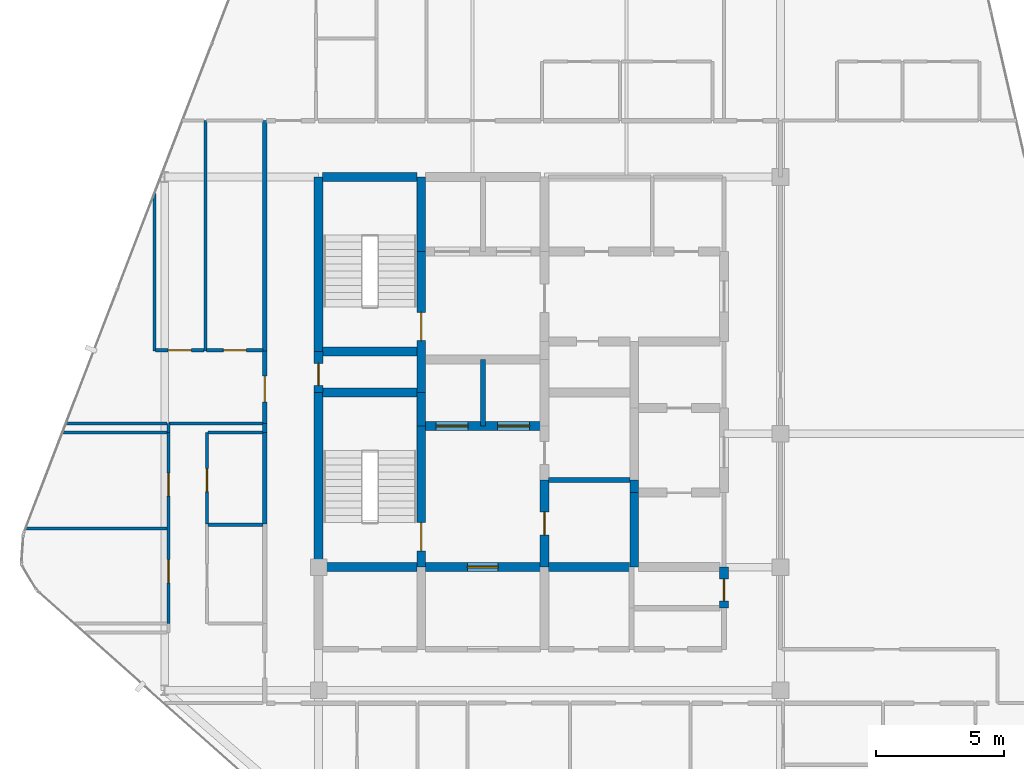
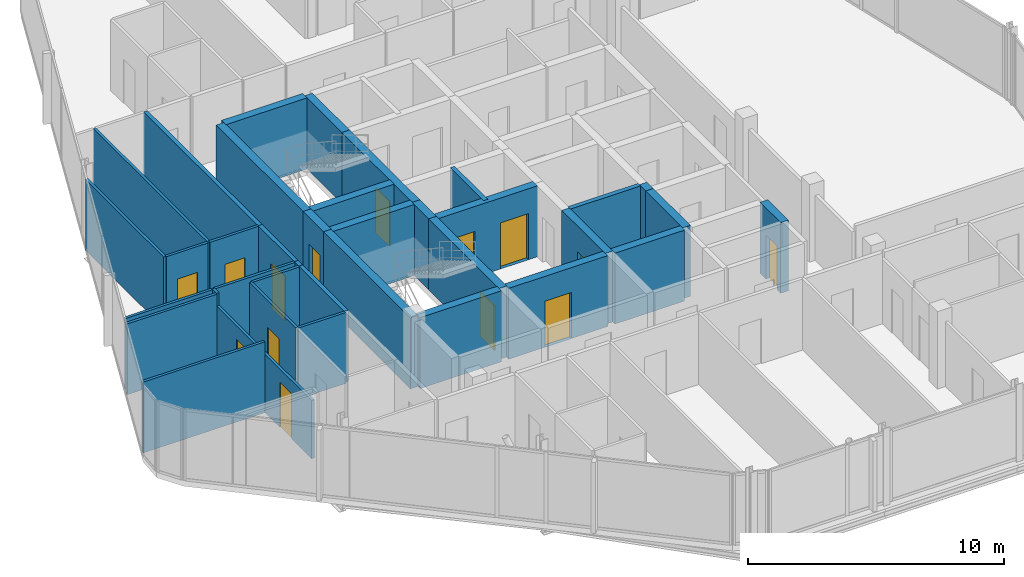
# One storey, part 23 of 27: 37 walls, 14 doors, 14 openings.
"""IFC4 building model written with IfcOpenShell, lengths in metres."""

from ifc_helpers import new_model, si_unit, direction, frame, frame_2d, origin, place, context, subcontext, project, spatial, rectangle, extrude, material, layer, layer_set, type_object, element, fill, save


model = new_model("IFC4")

# Units and contexts
model_context = context("Model", 3, precision=1e-05, world=origin(), true_north=direction((0.0, 1.0)))
body_context = subcontext(model_context, "Body", "Model", "MODEL_VIEW")
ifc_project = project(units=[si_unit("LENGTHUNIT", "METRE"), si_unit("AREAUNIT", "SQUARE_METRE"), si_unit("VOLUMEUNIT", "CUBIC_METRE"), si_unit("PLANEANGLEUNIT", "RADIAN"), si_unit("MASSUNIT", "GRAM", prefix="KILO")], contexts=[model_context])

# Site, building, storey
site_placement = place(None, origin())
site = spatial("IfcSite", under=ifc_project, at=site_placement, CompositionType="ELEMENT")
building_placement = place(site_placement, origin())
building = spatial("IfcBuilding", under=site, at=building_placement, Name="Keshet Zoharim Tower", CompositionType="ELEMENT")
storey_placement = place(building_placement, frame((0.0, 0.0, 288.0)))
storey = spatial("IfcBuildingStorey", under=building, at=storey_placement, Name="L72", CompositionType="ELEMENT", Elevation=288.0)

# Wall
ifc_material_1 = material(Name="Concrete C60/75", Category="concrete")
ifc_layer_1 = layer(ifc_material_1, 0.35009765625)
ifc_layer_set_1 = layer_set([ifc_layer_1], Name="Concrete C60/75")
wall_type_1 = type_object("IfcWallType", Name="WL-CORE-350", PredefinedType="SHEAR", material=ifc_layer_set_1)
wall_1_placement = place(storey_placement, frame((15.0, 22.699951171875, 0.0), z_axis=(0.0, 0.0, 1.0), x_axis=(0.0, 1.0, 0.0)))
element("IfcWall", 1, at=wall_1_placement, inside=storey, type_object=wall_type_1, Name="L72 Core Shear Wall 017", PredefinedType="SHEAR", context=body_context, shape_type="SweptSolid", body=[
    extrude(rectangle(XDim=6.800048828125, YDim=0.35009765625, at=frame_2d((3.39990234375, 0.0))), origin(), (0.0, 0.0, 1.0), 3.389892578125),
])

# Wall, opening, door
wall_2_placement = place(storey_placement, frame((15.0, 29.5, 0.0), z_axis=(0.0, 0.0, 1.0), x_axis=(0.0, 1.0, 0.0)))
wall_2 = element("IfcWall", 2, at=wall_2_placement, inside=storey, type_object=wall_type_1, Name="L72 Core Shear Wall 018", PredefinedType="SHEAR", context=body_context, shape_type="SweptSolid", body=[
    extrude(rectangle(XDim=1.60009765625, YDim=0.35009765625, at=frame_2d((0.800048828125, 0.0))), origin(), (0.0, 0.0, 1.0), 3.389892578125),
])
opening_1_placement = place(wall_2_placement, frame((0.287109375, 0.0, 0.0)))
opening_1 = element("IfcOpeningElement", 3, at=opening_1_placement, cuts=wall_2, Name="Opening D-RS85", PredefinedType="OPENING", context=body_context, shape_type="SweptSolid", body=[
    extrude(rectangle(XDim=0.85009765625, YDim=2.10009765625, at=frame_2d((0.425048828125, 1.050048828125))), frame((0.0, 0.18505859375, 0.0), z_axis=(0.0, -1.0, 0.0), x_axis=(1.0, 0.0, 0.0)), (0.0, 0.0, 1.0), 0.3701171875),
])
ifc_material_2 = material(Name="Hardwood Timber", Category="wood")
door_type_1 = type_object("IfcDoorType", Name="DR-RIS-085", OperationType="NOTDEFINED", PredefinedType="DOOR", material=ifc_material_2)
door_1_placement = place(opening_1_placement, origin())
door_1 = element("IfcDoor", 4, at=door_1_placement, inside=storey, type_object=door_type_1, Name="L72 Electrical Riser Access Cupboard Door", OperationType="SINGLE_SWING_RIGHT", OverallHeight=2.10009765625, OverallWidth=0.85009765625, PredefinedType="DOOR", context=body_context, shape_type="SweptSolid", body=[
    extrude(rectangle(XDim=0.85009765625, YDim=2.10009765625, at=frame_2d((0.425048828125, 1.050048828125))), frame((0.0, 0.02490234375, 0.0), z_axis=(0.0, -1.0, 0.0), x_axis=(1.0, 0.0, 0.0)), (0.0, 0.0, 1.0), 0.050048828125),
])
fill(opening_1, door_1)

# Wall
wall_3_placement = place(storey_placement, frame((15.0, 31.10009765625, 0.0), z_axis=(0.0, 0.0, 1.0), x_axis=(0.0, 1.0, 0.0)))
element("IfcWall", 5, at=wall_3_placement, inside=storey, type_object=wall_type_1, Name="L72 Core Shear Wall 019", PredefinedType="SHEAR", context=body_context, shape_type="SweptSolid", body=[
    extrude(rectangle(XDim=6.7998046875, YDim=0.35009765625, at=frame_2d((3.39990234375, 0.0))), origin(), (0.0, 0.0, 1.0), 3.389892578125),
])

# Wall, opening, door
wall_4_placement = place(storey_placement, frame((19.0, 22.699951171875, 0.0), z_axis=(0.0, 0.0, 1.0), x_axis=(0.0, 1.0, 0.0)))
wall_4 = element("IfcWall", 6, at=wall_4_placement, inside=storey, type_object=wall_type_1, Name="L72 Core Shear Wall 027", PredefinedType="SHEAR", context=body_context, shape_type="SweptSolid", body=[
    extrude(rectangle(XDim=5.5, YDim=0.35009765625, at=frame_2d((2.75, 0.0))), origin(), (0.0, 0.0, 1.0), 3.389892578125),
])
opening_2_placement = place(wall_4_placement, frame((0.631103515625, 0.0, 0.0)))
opening_2 = element("IfcOpeningElement", 7, at=opening_2_placement, cuts=wall_4, Name="Opening D-F611", PredefinedType="OPENING", context=body_context, shape_type="SweptSolid", body=[
    extrude(rectangle(XDim=1.10009765625, YDim=2.14990234375, at=frame_2d((0.550048828125, 1.074951171875))), frame((0.0, 0.18505859375, 0.0), z_axis=(0.0, -1.0, 0.0), x_axis=(1.0, 0.0, 0.0)), (0.0, 0.0, 1.0), 0.3701171875),
])
door_type_2 = type_object("IfcDoorType", Name="DR-FD60-110", OperationType="NOTDEFINED", PredefinedType="DOOR", material=ifc_material_2)
door_2_placement = place(opening_2_placement, origin())
door_2 = element("IfcDoor", 8, at=door_2_placement, inside=storey, type_object=door_type_2, Name="L72 Exit Stair ST-01 Fire Door", OperationType="SINGLE_SWING_LEFT", OverallHeight=2.14990234375, OverallWidth=1.10009765625, PredefinedType="DOOR", context=body_context, shape_type="SweptSolid", body=[
    extrude(rectangle(XDim=1.10009765625, YDim=2.14990234375, at=frame_2d((0.550048828125, 1.074951171875))), frame((0.0, 0.02490234375, 0.0), z_axis=(0.0, -1.0, 0.0), x_axis=(1.0, 0.0, 0.0)), (0.0, 0.0, 1.0), 0.050048828125),
])
fill(opening_2, door_2)

# Wall
wall_5_placement = place(storey_placement, frame((19.0, 28.199951171875, 0.0), z_axis=(0.0, 0.0, 1.0), x_axis=(0.0, 1.0, 0.0)))
element("IfcWall", 9, at=wall_5_placement, inside=storey, type_object=wall_type_1, Name="L72 Core Shear Wall 028", PredefinedType="SHEAR", context=body_context, shape_type="SweptSolid", body=[
    extrude(rectangle(XDim=1.300048828125, YDim=0.35009765625, at=frame_2d((0.64990234375, 0.0))), origin(), (0.0, 0.0, 1.0), 3.389892578125),
])

# Wall, opening, door
wall_6_placement = place(storey_placement, frame((19.0, 29.5, 0.0), z_axis=(0.0, 0.0, 1.0), x_axis=(0.0, 1.0, 0.0)))
wall_6 = element("IfcWall", 10, at=wall_6_placement, inside=storey, type_object=wall_type_1, Name="L72 Core Shear Wall 029", PredefinedType="SHEAR", context=body_context, shape_type="SweptSolid", body=[
    extrude(rectangle(XDim=5.5, YDim=0.35009765625, at=frame_2d((2.75, 0.0))), origin(), (0.0, 0.0, 1.0), 3.389892578125),
])
opening_3_placement = place(wall_6_placement, frame((2.02490234375, 0.0, 0.0)))
opening_3 = element("IfcOpeningElement", 11, at=opening_3_placement, cuts=wall_6, Name="Opening D-F611", PredefinedType="OPENING", context=body_context, shape_type="SweptSolid", body=[
    extrude(rectangle(XDim=1.10009765625, YDim=2.14990234375, at=frame_2d((0.550048828125, 1.074951171875))), frame((0.0, 0.18505859375, 0.0), z_axis=(0.0, -1.0, 0.0), x_axis=(1.0, 0.0, 0.0)), (0.0, 0.0, 1.0), 0.3701171875),
])
door_3_placement = place(opening_3_placement, origin())
door_3 = element("IfcDoor", 12, at=door_3_placement, inside=storey, type_object=door_type_2, Name="L72 Exit Stair ST-02 Fire Door", OperationType="SINGLE_SWING_RIGHT", OverallHeight=2.14990234375, OverallWidth=1.10009765625, PredefinedType="DOOR", context=body_context, shape_type="SweptSolid", body=[
    extrude(rectangle(XDim=1.10009765625, YDim=2.14990234375, at=frame_2d((0.550048828125, 1.074951171875))), frame((0.0, 0.02490234375, 0.0), z_axis=(0.0, -1.0, 0.0), x_axis=(1.0, 0.0, 0.0)), (0.0, 0.0, 1.0), 0.050048828125),
])
fill(opening_3, door_3)

# Wall
wall_7_placement = place(storey_placement, frame((19.0, 35.0, 0.0), z_axis=(0.0, 0.0, 1.0), x_axis=(0.0, 1.0, 0.0)))
element("IfcWall", 13, at=wall_7_placement, inside=storey, type_object=wall_type_1, Name="L72 Core Shear Wall 030", PredefinedType="SHEAR", context=body_context, shape_type="SweptSolid", body=[
    extrude(rectangle(XDim=2.89990234375, YDim=0.35009765625, at=frame_2d((1.449951171875, 0.0))), origin(), (0.0, 0.0, 1.0), 3.389892578125),
])

# Wall, opening, door
wall_8_placement = place(storey_placement, frame((23.800048828125, 22.699951171875, 0.0), z_axis=(0.0, 0.0, 1.0), x_axis=(0.0, 1.0, 0.0)))
wall_8 = element("IfcWall", 14, at=wall_8_placement, inside=storey, type_object=wall_type_1, Name="L72 Core Shear Wall 039", PredefinedType="SHEAR", context=body_context, shape_type="SweptSolid", body=[
    extrude(rectangle(XDim=3.400146484375, YDim=0.35009765625, at=frame_2d((1.7001953125, 0.0))), origin(), (0.0, 0.0, 1.0), 3.389892578125),
])
opening_4_placement = place(wall_8_placement, frame((1.25, 0.0, 0.0)))
opening_4 = element("IfcOpeningElement", 15, at=opening_4_placement, cuts=wall_8, Name="Opening D-F690", PredefinedType="OPENING", context=body_context, shape_type="SweptSolid", body=[
    extrude(rectangle(XDim=0.89990234375, YDim=2.14990234375, at=frame_2d((0.449951171875, 1.074951171875))), frame((0.0, 0.18505859375, 0.0), z_axis=(0.0, -1.0, 0.0), x_axis=(1.0, 0.0, 0.0)), (0.0, 0.0, 1.0), 0.3701171875),
])
door_type_3 = type_object("IfcDoorType", Name="DR-FD60-090", OperationType="NOTDEFINED", PredefinedType="DOOR", material=ifc_material_2)
door_4_placement = place(opening_4_placement, origin())
door_4 = element("IfcDoor", 16, at=door_4_placement, inside=storey, type_object=door_type_3, Name="L72 Core Linen Store Door", OperationType="SINGLE_SWING_LEFT", OverallHeight=2.14990234375, OverallWidth=0.89990234375, PredefinedType="DOOR", context=body_context, shape_type="SweptSolid", body=[
    extrude(rectangle(XDim=0.89990234375, YDim=2.14990234375, at=frame_2d((0.449951171875, 1.074951171875))), frame((0.0, 0.02490234375, 0.0), z_axis=(0.0, -1.0, 0.0), x_axis=(1.0, 0.0, 0.0)), (0.0, 0.0, 1.0), 0.050048828125),
])
fill(opening_4, door_4)

# Walls
wall_9_placement = place(storey_placement, frame((27.300048828125, 22.699951171875, 0.0), z_axis=(0.0, 0.0, 1.0), x_axis=(0.0, 1.0, 0.0)))
element("IfcWall", 17, at=wall_9_placement, inside=storey, type_object=wall_type_1, Name="L72 Core Shear Wall 050", PredefinedType="SHEAR", context=body_context, shape_type="SweptSolid", body=[
    extrude(rectangle(XDim=2.900146484375, YDim=0.35009765625, at=frame_2d((1.4501953125, 0.0))), origin(), (0.0, 0.0, 1.0), 3.389892578125),
])
wall_10_placement = place(storey_placement, frame((27.300048828125, 25.60009765625, 0.0), z_axis=(0.0, 0.0, 1.0), x_axis=(0.0, 1.0, 0.0)))
element("IfcWall", 18, at=wall_10_placement, inside=storey, type_object=wall_type_1, Name="L72 Core Shear Wall 051", PredefinedType="SHEAR", context=body_context, shape_type="SweptSolid", body=[
    extrude(rectangle(XDim=0.5, YDim=0.35009765625, at=frame_2d((0.25, 0.0))), origin(), (0.0, 0.0, 1.0), 3.389892578125),
])

# Wall, opening, door
wall_11_placement = place(storey_placement, frame((30.800048828125, 21.10009765625, 0.0), z_axis=(0.0, 0.0, 1.0), x_axis=(0.0, 1.0, 0.0)))
wall_11 = element("IfcWall", 19, at=wall_11_placement, inside=storey, type_object=wall_type_1, Name="L72 Core Shear Wall 059", PredefinedType="SHEAR", context=body_context, shape_type="SweptSolid", body=[
    extrude(rectangle(XDim=1.599853515625, YDim=0.35009765625, at=frame_2d((0.7998046875, 0.0))), origin(), (0.0, 0.0, 1.0), 3.389892578125),
])
opening_5_placement = place(wall_11_placement, frame((0.287109375, 0.0, 0.0)))
opening_5 = element("IfcOpeningElement", 20, at=opening_5_placement, cuts=wall_11, Name="Opening D-RS85", PredefinedType="OPENING", context=body_context, shape_type="SweptSolid", body=[
    extrude(rectangle(XDim=0.85009765625, YDim=2.10009765625, at=frame_2d((0.425048828125, 1.050048828125))), frame((0.0, 0.18505859375, 0.0), z_axis=(0.0, -1.0, 0.0), x_axis=(1.0, 0.0, 0.0)), (0.0, 0.0, 1.0), 0.3701171875),
])
door_5_placement = place(opening_5_placement, origin())
door_5 = element("IfcDoor", 21, at=door_5_placement, inside=storey, type_object=door_type_1, Name="L72 Linen Store Door", OperationType="SINGLE_SWING_RIGHT", OverallHeight=2.10009765625, OverallWidth=0.85009765625, PredefinedType="DOOR", context=body_context, shape_type="SweptSolid", body=[
    extrude(rectangle(XDim=0.85009765625, YDim=2.10009765625, at=frame_2d((0.425048828125, 1.050048828125))), frame((0.0, 0.02490234375, 0.0), z_axis=(0.0, -1.0, 0.0), x_axis=(1.0, 0.0, 0.0)), (0.0, 0.0, 1.0), 0.050048828125),
])
fill(opening_5, door_5)

# Wall
wall_12_placement = place(storey_placement, frame((15.159912109375, 22.699951171875, 0.0), z_axis=(0.0, 0.0, 1.0), x_axis=(1.0, 0.0, 0.0)))
element("IfcWall", 22, at=wall_12_placement, inside=storey, type_object=wall_type_1, Name="L72 Core Shear Wall 109", PredefinedType="SHEAR", context=body_context, shape_type="SweptSolid", body=[
    extrude(rectangle(XDim=3.68017578125, YDim=0.35009765625, at=frame_2d((1.840087890625, 0.0))), origin(), (0.0, 0.0, 1.0), 3.389892578125),
])

# Wall, opening, door
wall_13_placement = place(storey_placement, frame((19.159912109375, 22.699951171875, 0.0), z_axis=(0.0, 0.0, 1.0), x_axis=(1.0, 0.0, 0.0)))
wall_13 = element("IfcWall", 23, at=wall_13_placement, inside=storey, type_object=wall_type_1, Name="L72 Core Shear Wall 110", PredefinedType="SHEAR", context=body_context, shape_type="SweptSolid", body=[
    extrude(rectangle(XDim=4.47998046875, YDim=0.35009765625, at=frame_2d((2.239990234375, 0.0))), origin(), (0.0, 0.0, 1.0), 3.389892578125),
])
opening_6_placement = place(wall_13_placement, frame((1.639892578125, 0.0, 0.0)))
opening_6 = element("IfcOpeningElement", 24, at=opening_6_placement, cuts=wall_13, Name="Opening D-F612", PredefinedType="OPENING", context=body_context, shape_type="SweptSolid", body=[
    extrude(rectangle(XDim=1.199951171875, YDim=2.199951171875, at=frame_2d((0.60009765625, 1.10009765625))), frame((0.0, 0.18505859375, 0.0), z_axis=(0.0, -1.0, 0.0), x_axis=(1.0, 0.0, 0.0)), (0.0, 0.0, 1.0), 0.3701171875),
])
door_type_4 = type_object("IfcDoorType", Name="DR-FD60-120", OperationType="NOTDEFINED", PredefinedType="DOOR", material=ifc_material_2)
door_6_placement = place(opening_6_placement, origin())
door_6 = element("IfcDoor", 25, at=door_6_placement, inside=storey, type_object=door_type_4, Name="L72 South Core Lobby Fire Door", OperationType="SINGLE_SWING_RIGHT", OverallHeight=2.199951171875, OverallWidth=1.199951171875, PredefinedType="DOOR", context=body_context, shape_type="SweptSolid", body=[
    extrude(rectangle(XDim=1.199951171875, YDim=2.199951171875, at=frame_2d((0.60009765625, 1.10009765625))), frame((0.0, 0.02490234375, 0.0), z_axis=(0.0, -1.0, 0.0), x_axis=(1.0, 0.0, 0.0)), (0.0, 0.0, 1.0), 0.050048828125),
])
fill(opening_6, door_6)

# Wall
wall_14_placement = place(storey_placement, frame((23.9599609375, 22.699951171875, 0.0), z_axis=(0.0, 0.0, 1.0), x_axis=(1.0, 0.0, 0.0)))
element("IfcWall", 26, at=wall_14_placement, inside=storey, type_object=wall_type_1, Name="L72 Core Shear Wall 111", PredefinedType="SHEAR", context=body_context, shape_type="SweptSolid", body=[
    extrude(rectangle(XDim=3.155029296875, YDim=0.35009765625, at=frame_2d((1.57763671875, 0.0))), origin(), (0.0, 0.0, 1.0), 3.389892578125),
])

# Wall, openings, doors
wall_15_placement = place(storey_placement, frame((19.159912109375, 28.199951171875, 0.0), z_axis=(0.0, 0.0, 1.0), x_axis=(1.0, 0.0, 0.0)))
wall_15 = element("IfcWall", 27, at=wall_15_placement, inside=storey, type_object=wall_type_1, Name="L72 Core Shear Wall 119", PredefinedType="SHEAR", context=body_context, shape_type="SweptSolid", body=[
    extrude(rectangle(XDim=4.47998046875, YDim=0.35009765625, at=frame_2d((2.239990234375, 0.0))), origin(), (0.0, 0.0, 1.0), 3.389892578125),
])
opening_7_placement = place(wall_15_placement, frame((0.4150390625, 0.0, 0.0)))
opening_7 = element("IfcOpeningElement", 28, at=opening_7_placement, cuts=wall_15, Name="Opening LD-01", PredefinedType="OPENING", context=body_context, shape_type="SweptSolid", body=[
    extrude(rectangle(XDim=1.25, YDim=2.199951171875, at=frame_2d((0.625, 1.10009765625))), frame((0.0, 0.18505859375, 0.0), z_axis=(0.0, -1.0, 0.0), x_axis=(1.0, 0.0, 0.0)), (0.0, 0.0, 1.0), 0.3701171875),
])
opening_8_placement = place(wall_15_placement, frame((2.81494140625, 0.0, 0.0)))
opening_8 = element("IfcOpeningElement", 29, at=opening_8_placement, cuts=wall_15, Name="Opening LD-01", PredefinedType="OPENING", context=body_context, shape_type="SweptSolid", body=[
    extrude(rectangle(XDim=1.25, YDim=2.199951171875, at=frame_2d((0.625, 1.10009765625))), frame((0.0, 0.18505859375, 0.0), z_axis=(0.0, -1.0, 0.0), x_axis=(1.0, 0.0, 0.0)), (0.0, 0.0, 1.0), 0.3701171875),
])
ifc_material_3 = material(Name="Steel S355", Category="steel")
door_type_5 = type_object("IfcDoorType", Name="DR-LD01-125", OperationType="DOUBLE_DOOR_SLIDING", PredefinedType="DOOR", material=ifc_material_3)
door_7_placement = place(opening_7_placement, origin())
door_7 = element("IfcDoor", 30, at=door_7_placement, inside=storey, type_object=door_type_5, Name="L72 Passenger Lift Landing Door LF-09", OperationType="DOUBLE_DOOR_SLIDING", OverallHeight=2.199951171875, OverallWidth=1.25, PredefinedType="DOOR", context=body_context, shape_type="SweptSolid", body=[
    extrude(rectangle(XDim=1.25, YDim=2.199951171875, at=frame_2d((0.625, 1.10009765625))), frame((0.0, 0.02490234375, 0.0), z_axis=(0.0, -1.0, 0.0), x_axis=(1.0, 0.0, 0.0)), (0.0, 0.0, 1.0), 0.050048828125),
])
fill(opening_7, door_7)
door_8_placement = place(opening_8_placement, origin())
door_8 = element("IfcDoor", 31, at=door_8_placement, inside=storey, type_object=door_type_5, Name="L72 Passenger Lift Landing Door LF-10", OperationType="DOUBLE_DOOR_SLIDING", OverallHeight=2.199951171875, OverallWidth=1.25, PredefinedType="DOOR", context=body_context, shape_type="SweptSolid", body=[
    extrude(rectangle(XDim=1.25, YDim=2.199951171875, at=frame_2d((0.625, 1.10009765625))), frame((0.0, 0.02490234375, 0.0), z_axis=(0.0, -1.0, 0.0), x_axis=(1.0, 0.0, 0.0)), (0.0, 0.0, 1.0), 0.050048828125),
])
fill(opening_8, door_8)

# Walls
for number, where, z_axis, x_axis, name in (
    (32, (15.159912109375, 29.5, 0.0), (0.0, 0.0, 1.0), (1.0, 0.0, 0.0), "L72 Core Shear Wall 123"),
    (33, (15.159912109375, 31.10009765625, 0.0), (0.0, 0.0, 1.0), (1.0, 0.0, 0.0), "L72 Core Shear Wall 126"),
    (34, (15.159912109375, 37.89990234375, 0.0), (0.0, 0.0, 1.0), (1.0, 0.0, 0.0), "L72 Core Shear Wall 134"),
):
    element("IfcWall", number, at=place(storey_placement, frame(where, z_axis=z_axis, x_axis=x_axis)), inside=storey, type_object=wall_type_1, Name=name, PredefinedType="SHEAR", context=body_context, shape_type="SweptSolid", body=[
        extrude(rectangle(XDim=3.68017578125, YDim=0.35009765625, at=frame_2d((1.840087890625, 0.0))), origin(), (0.0, 0.0, 1.0), 3.389892578125),
    ])
ifc_material_4 = material(Name="Gypsum Plasterboard", Category="gypsum")
ifc_layer_2 = layer(ifc_material_4, 0.179931640625)
ifc_layer_set_2 = layer_set([ifc_layer_2], Name="Gypsum Plasterboard")
wall_type_2 = type_object("IfcWallType", Name="WL-CORR-180", PredefinedType="STANDARD", material=ifc_layer_set_2)
wall_16_placement = place(storey_placement, frame((12.89990234375, 24.3740234375, 0.0), z_axis=(0.0, 0.0, 1.0), x_axis=(0.0, 1.0, 0.0)))
element("IfcWall", 35, at=wall_16_placement, inside=storey, type_object=wall_type_2, Name="L72 Interior Wall 010", PredefinedType="STANDARD", context=body_context, shape_type="SweptSolid", body=[
    extrude(rectangle(XDim=3.575927734375, YDim=0.179931640625, at=frame_2d((1.7880859375, 0.0))), origin(), (0.0, 0.0, 1.0), 3.389892578125),
])
wall_17_placement = place(storey_placement, frame((12.89990234375, 27.949951171875, 0.0), z_axis=(0.0, 0.0, 1.0), x_axis=(0.0, 1.0, 0.0)))
element("IfcWall", 36, at=wall_17_placement, inside=storey, type_object=wall_type_2, Name="L72 Interior Wall 011", PredefinedType="STANDARD", context=body_context, shape_type="SweptSolid", body=[
    extrude(rectangle(XDim=0.35009765625, YDim=0.179931640625, at=frame_2d((0.175048828125, 0.0))), origin(), (0.0, 0.0, 1.0), 3.389892578125),
])

# Wall, opening, door
wall_18_placement = place(storey_placement, frame((12.89990234375, 28.300048828125, 0.0), z_axis=(0.0, 0.0, 1.0), x_axis=(0.0, 1.0, 0.0)))
wall_18 = element("IfcWall", 37, at=wall_18_placement, inside=storey, type_object=wall_type_2, Name="L72 Interior Wall 012", PredefinedType="STANDARD", context=body_context, shape_type="SweptSolid", body=[
    extrude(rectangle(XDim=2.829833984375, YDim=0.179931640625, at=frame_2d((1.4150390625, 0.0))), origin(), (0.0, 0.0, 1.0), 3.389892578125),
])
opening_9_placement = place(wall_18_placement, frame((0.842041015625, 0.0, 0.0)))
opening_9 = element("IfcOpeningElement", 38, at=opening_9_placement, cuts=wall_18, Name="Opening D-F310", PredefinedType="OPENING", context=body_context, shape_type="SweptSolid", body=[
    extrude(rectangle(XDim=1.0, YDim=2.14990234375, at=frame_2d((0.5, 1.074951171875))), frame((0.0, 0.10009765625, 0.0), z_axis=(0.0, -1.0, 0.0), x_axis=(1.0, 0.0, 0.0)), (0.0, 0.0, 1.0), 0.199951171875),
])
door_type_6 = type_object("IfcDoorType", Name="DR-FD30-100", OperationType="NOTDEFINED", PredefinedType="DOOR", material=ifc_material_2)
door_9_placement = place(opening_9_placement, origin())
door_9 = element("IfcDoor", 39, at=door_9_placement, inside=storey, type_object=door_type_6, Name="Apartment 7208 Entrance Door", OperationType="SINGLE_SWING_LEFT", OverallHeight=2.14990234375, OverallWidth=1.0, PredefinedType="DOOR", context=body_context, shape_type="SweptSolid", body=[
    extrude(rectangle(XDim=1.0, YDim=2.14990234375, at=frame_2d((0.5, 1.074951171875))), frame((0.0, 0.02490234375, 0.0), z_axis=(0.0, -1.0, 0.0), x_axis=(1.0, 0.0, 0.0)), (0.0, 0.0, 1.0), 0.050048828125),
])
fill(opening_9, door_9)

# Walls
wall_19_placement = place(storey_placement, frame((12.89990234375, 31.1298828125, 0.0), z_axis=(0.0, 0.0, 1.0), x_axis=(0.0, 1.0, 0.0)))
element("IfcWall", 40, at=wall_19_placement, inside=storey, type_object=wall_type_2, Name="L72 Interior Wall 013", PredefinedType="STANDARD", context=body_context, shape_type="SweptSolid", body=[
    extrude(rectangle(XDim=8.97021484375, YDim=0.179931640625, at=frame_2d((4.485107421875, 0.0))), origin(), (0.0, 0.0, 1.0), 3.389892578125),
])
ifc_material_5 = material(Name="Concrete C50/60", Category="concrete")
ifc_layer_3 = layer(ifc_material_5, 0.199951171875)
ifc_layer_set_3 = layer_set([ifc_layer_3], Name="Concrete C50/60")
wall_type_3 = type_object("IfcWallType", Name="WL-FIRE-200", PredefinedType="STANDARD", material=ifc_layer_set_3)
wall_20_placement = place(storey_placement, frame((21.39990234375, 28.199951171875, 0.0), z_axis=(0.0, 0.0, 1.0), x_axis=(0.0, 1.0, 0.0)))
element("IfcWall", 41, at=wall_20_placement, inside=storey, type_object=wall_type_3, Name="L72 Interior Wall 033", PredefinedType="STANDARD", context=body_context, shape_type="SweptSolid", body=[
    extrude(rectangle(XDim=2.60009765625, YDim=0.199951171875, at=frame_2d((1.300048828125, 0.0))), origin(), (0.0, 0.0, 1.0), 3.389892578125),
])
wall_21_placement = place(storey_placement, frame((23.9599609375, 26.10009765625, 0.0), z_axis=(0.0, 0.0, 1.0), x_axis=(1.0, 0.0, 0.0)))
element("IfcWall", 42, at=wall_21_placement, inside=storey, type_object=wall_type_3, Name="L72 Interior Wall 116", PredefinedType="STANDARD", context=body_context, shape_type="SweptSolid", body=[
    extrude(rectangle(XDim=3.179931640625, YDim=0.199951171875, at=frame_2d((1.58984375, 0.0))), origin(), (0.0, 0.0, 1.0), 3.389892578125),
])
ifc_layer_4 = layer(ifc_material_4, 0.1201171875)
ifc_layer_set_4 = layer_set([ifc_layer_4], Name="Gypsum Plasterboard")
wall_type_4 = type_object("IfcWallType", Name="WL-PART-120", PredefinedType="PARTITIONING", material=ifc_layer_set_4)
wall_22_placement = place(storey_placement, frame((8.60009765625, 31.1298828125, 0.0), z_axis=(0.0, 0.0, 1.0), x_axis=(0.0, 1.0, 0.0)))
element("IfcWall", 43, at=wall_22_placement, inside=storey, type_object=wall_type_4, Name="L72 Interior Wall 001", PredefinedType="PARTITIONING", context=body_context, shape_type="SweptSolid", body=[
    extrude(rectangle(XDim=6.1201171875, YDim=0.1201171875, at=frame_2d((3.06005859375, 0.0))), origin(), (0.0, 0.0, 1.0), 3.389892578125),
])

# Wall, openings, doors
wall_23_placement = place(storey_placement, frame((9.14990234375, 20.5, 0.0), z_axis=(0.0, 0.0, 1.0), x_axis=(0.0, 1.0, 0.0)))
wall_23 = element("IfcWall", 44, at=wall_23_placement, inside=storey, type_object=wall_type_4, Name="L72 Interior Wall 003", PredefinedType="PARTITIONING", context=body_context, shape_type="SweptSolid", body=[
    extrude(rectangle(XDim=7.449951171875, YDim=0.1201171875, at=frame_2d((3.72509765625, 0.0))), origin(), (0.0, 0.0, 1.0), 2.7900390625),
])
opening_10_placement = place(wall_23_placement, frame((1.587890625, 0.0, 0.0)))
opening_10 = element("IfcOpeningElement", 45, at=opening_10_placement, cuts=wall_23, Name="Opening D-IN90", PredefinedType="OPENING", context=body_context, shape_type="SweptSolid", body=[
    extrude(rectangle(XDim=0.89990234375, YDim=2.14990234375, at=frame_2d((0.449951171875, 1.074951171875))), frame((0.0, 0.070068359375, 0.0), z_axis=(0.0, -1.0, 0.0), x_axis=(1.0, 0.0, 0.0)), (0.0, 0.0, 1.0), 0.14013671875),
])
opening_11_placement = place(wall_23_placement, frame((4.962890625, 0.0, 0.0)))
opening_11 = element("IfcOpeningElement", 46, at=opening_11_placement, cuts=wall_23, Name="Opening D-IN90", PredefinedType="OPENING", context=body_context, shape_type="SweptSolid", body=[
    extrude(rectangle(XDim=0.89990234375, YDim=2.14990234375, at=frame_2d((0.449951171875, 1.074951171875))), frame((0.0, 0.070068359375, 0.0), z_axis=(0.0, -1.0, 0.0), x_axis=(1.0, 0.0, 0.0)), (0.0, 0.0, 1.0), 0.14013671875),
])
door_type_7 = type_object("IfcDoorType", Name="DR-INT-090", OperationType="NOTDEFINED", PredefinedType="DOOR", material=ifc_material_2)
door_10_placement = place(opening_10_placement, origin())
door_10 = element("IfcDoor", 47, at=door_10_placement, inside=storey, type_object=door_type_7, Name="Apartment 7207 Bedroom 1 Door", OperationType="SINGLE_SWING_RIGHT", OverallHeight=2.14990234375, OverallWidth=0.89990234375, PredefinedType="DOOR", context=body_context, shape_type="SweptSolid", body=[
    extrude(rectangle(XDim=0.89990234375, YDim=2.14990234375, at=frame_2d((0.449951171875, 1.074951171875))), frame((0.0, 0.02490234375, 0.0), z_axis=(0.0, -1.0, 0.0), x_axis=(1.0, 0.0, 0.0)), (0.0, 0.0, 1.0), 0.050048828125),
])
fill(opening_10, door_10)
door_11_placement = place(opening_11_placement, origin())
door_11 = element("IfcDoor", 48, at=door_11_placement, inside=storey, type_object=door_type_7, Name="Apartment 7207 Bedroom 2 Door", OperationType="SINGLE_SWING_LEFT", OverallHeight=2.14990234375, OverallWidth=0.89990234375, PredefinedType="DOOR", context=body_context, shape_type="SweptSolid", body=[
    extrude(rectangle(XDim=0.89990234375, YDim=2.14990234375, at=frame_2d((0.449951171875, 1.074951171875))), frame((0.0, 0.02490234375, 0.0), z_axis=(0.0, -1.0, 0.0), x_axis=(1.0, 0.0, 0.0)), (0.0, 0.0, 1.0), 0.050048828125),
])
fill(opening_11, door_11)

# Walls
wall_24_placement = place(storey_placement, frame((9.14990234375, 27.949951171875, 0.0), z_axis=(0.0, 0.0, 1.0), x_axis=(0.0, 1.0, 0.0)))
element("IfcWall", 49, at=wall_24_placement, inside=storey, type_object=wall_type_4, Name="L72 Interior Wall 004", PredefinedType="PARTITIONING", context=body_context, shape_type="SweptSolid", body=[
    extrude(rectangle(XDim=0.35009765625, YDim=0.1201171875, at=frame_2d((0.175048828125, 0.0))), origin(), (0.0, 0.0, 1.0), 3.389892578125),
])
wall_25_placement = place(storey_placement, frame((3.5869140625, 24.199951171875, 0.0), z_axis=(0.0, 0.0, 1.0), x_axis=(1.0, 0.0, 0.0)))
element("IfcWall", 50, at=wall_25_placement, inside=storey, type_object=wall_type_4, Name="L72 Interior Wall 113", PredefinedType="PARTITIONING", context=body_context, shape_type="SweptSolid", body=[
    extrude(rectangle(XDim=5.498046875, YDim=0.1201171875, at=frame_2d((2.7490234375, 0.0))), origin(), (0.0, 0.0, 1.0), 3.389892578125),
])
wall_26_placement = place(storey_placement, frame((5.029052734375, 27.949951171875, 0.0), z_axis=(0.0, 0.0, 1.0), x_axis=(1.0, 0.0, 0.0)))
element("IfcWall", 51, at=wall_26_placement, inside=storey, type_object=wall_type_4, Name="L72 Interior Wall 117", PredefinedType="PARTITIONING", context=body_context, shape_type="SweptSolid", body=[
    extrude(rectangle(XDim=4.055908203125, YDim=0.1201171875, at=frame_2d((2.02783203125, 0.0))), origin(), (0.0, 0.0, 1.0), 3.389892578125),
])
wall_27_placement = place(storey_placement, frame((5.1640625, 28.300048828125, 0.0), z_axis=(0.0, 0.0, 1.0), x_axis=(1.0, 0.0, 0.0)))
element("IfcWall", 52, at=wall_27_placement, inside=storey, type_object=wall_type_4, Name="L72 Interior Wall 120", PredefinedType="PARTITIONING", context=body_context, shape_type="SweptSolid", body=[
    extrude(rectangle(XDim=3.9208984375, YDim=0.1201171875, at=frame_2d((1.96044921875, 0.0))), origin(), (0.0, 0.0, 1.0), 3.389892578125),
])
wall_28_placement = place(storey_placement, frame((9.175048828125, 28.300048828125, 0.0), z_axis=(0.0, 0.0, 1.0), x_axis=(1.0, 0.0, 0.0)))
element("IfcWall", 53, at=wall_28_placement, inside=storey, type_object=wall_type_4, Name="L72 Interior Wall 121", PredefinedType="PARTITIONING", context=body_context, shape_type="SweptSolid", body=[
    extrude(rectangle(XDim=3.64990234375, YDim=0.1201171875, at=frame_2d((1.824951171875, 0.0))), origin(), (0.0, 0.0, 1.0), 3.389892578125),
])

# Wall, opening, door
wall_29_placement = place(storey_placement, frame((8.64501953125, 31.14990234375, 0.0), z_axis=(0.0, 0.0, 1.0), x_axis=(1.0, 0.0, 0.0)))
wall_29 = element("IfcWall", 54, at=wall_29_placement, inside=storey, type_object=wall_type_4, Name="L72 Interior Wall 127", PredefinedType="PARTITIONING", context=body_context, shape_type="SweptSolid", body=[
    extrude(rectangle(XDim=1.887939453125, YDim=0.1201171875, at=frame_2d((0.94384765625, 0.0))), origin(), (0.0, 0.0, 1.0), 3.389892578125),
])
opening_12_placement = place(wall_29_placement, frame((0.493896484375, 0.0, 0.0)))
opening_12 = element("IfcOpeningElement", 55, at=opening_12_placement, cuts=wall_29, Name="Opening D-IN90", PredefinedType="OPENING", context=body_context, shape_type="SweptSolid", body=[
    extrude(rectangle(XDim=0.89990234375, YDim=2.14990234375, at=frame_2d((0.449951171875, 1.074951171875))), frame((0.0, 0.070068359375, 0.0), z_axis=(0.0, -1.0, 0.0), x_axis=(1.0, 0.0, 0.0)), (0.0, 0.0, 1.0), 0.14013671875),
])
door_12_placement = place(opening_12_placement, origin())
door_12 = element("IfcDoor", 56, at=door_12_placement, inside=storey, type_object=door_type_7, Name="Apartment 7208 Kitchen Door", OperationType="SINGLE_SWING_LEFT", OverallHeight=2.14990234375, OverallWidth=0.89990234375, PredefinedType="DOOR", context=body_context, shape_type="SweptSolid", body=[
    extrude(rectangle(XDim=0.89990234375, YDim=2.14990234375, at=frame_2d((0.449951171875, 1.074951171875))), frame((0.0, 0.02490234375, 0.0), z_axis=(0.0, -1.0, 0.0), x_axis=(1.0, 0.0, 0.0)), (0.0, 0.0, 1.0), 0.050048828125),
])
fill(opening_12, door_12)

# Wall
ifc_layer_5 = layer(ifc_material_4, 0.1201171875)
ifc_layer_set_5 = layer_set([ifc_layer_5], Name="Gypsum Plasterboard")
wall_type_5 = type_object("IfcWallType", Name="WL-WET-120", PredefinedType="PARTITIONING", material=ifc_layer_set_5)
wall_30_placement = place(storey_placement, frame((10.60009765625, 31.1298828125, 0.0), z_axis=(0.0, 0.0, 1.0), x_axis=(0.0, 1.0, 0.0)))
element("IfcWall", 57, at=wall_30_placement, inside=storey, type_object=wall_type_5, Name="L72 Interior Wall 005", PredefinedType="PARTITIONING", context=body_context, shape_type="SweptSolid", body=[
    extrude(rectangle(XDim=8.97021484375, YDim=0.1201171875, at=frame_2d((4.485107421875, 0.0))), origin(), (0.0, 0.0, 1.0), 3.389892578125),
])

# Wall, opening, door
wall_31_placement = place(storey_placement, frame((10.64990234375, 24.3740234375, 0.0), z_axis=(0.0, 0.0, 1.0), x_axis=(0.0, 1.0, 0.0)))
wall_31 = element("IfcWall", 58, at=wall_31_placement, inside=storey, type_object=wall_type_5, Name="L72 Interior Wall 007", PredefinedType="PARTITIONING", context=body_context, shape_type="SweptSolid", body=[
    extrude(rectangle(XDim=3.575927734375, YDim=0.1201171875, at=frame_2d((1.7880859375, 0.0))), origin(), (0.0, 0.0, 1.0), 3.389892578125),
])
opening_13_placement = place(wall_31_placement, frame((1.26611328125, 0.0, 0.0)))
opening_13 = element("IfcOpeningElement", 59, at=opening_13_placement, cuts=wall_31, Name="Opening D-WT90", PredefinedType="OPENING", context=body_context, shape_type="SweptSolid", body=[
    extrude(rectangle(XDim=0.89990234375, YDim=2.10009765625, at=frame_2d((0.449951171875, 1.050048828125))), frame((0.0, 0.070068359375, 0.0), z_axis=(0.0, -1.0, 0.0), x_axis=(1.0, 0.0, 0.0)), (0.0, 0.0, 1.0), 0.14013671875),
])
door_type_8 = type_object("IfcDoorType", Name="DR-WET-090", OperationType="NOTDEFINED", PredefinedType="DOOR", material=ifc_material_2)
door_13_placement = place(opening_13_placement, origin())
door_13 = element("IfcDoor", 60, at=door_13_placement, inside=storey, type_object=door_type_8, Name="Apartment 7207 Bathroom Door", OperationType="SINGLE_SWING_LEFT", OverallHeight=2.10009765625, OverallWidth=0.89990234375, PredefinedType="DOOR", context=body_context, shape_type="SweptSolid", body=[
    extrude(rectangle(XDim=0.89990234375, YDim=2.10009765625, at=frame_2d((0.449951171875, 1.050048828125))), frame((0.0, 0.02490234375, 0.0), z_axis=(0.0, -1.0, 0.0), x_axis=(1.0, 0.0, 0.0)), (0.0, 0.0, 1.0), 0.050048828125),
])
fill(opening_13, door_13)

# Walls
for number, where, z_axis, x_axis, name in (
    (61, (10.695068359375, 24.35009765625, 0.0), (0.0, 0.0, 1.0), (1.0, 0.0, 0.0), "L72 Interior Wall 114"),
    (62, (10.695068359375, 27.949951171875, 0.0), (0.0, 0.0, 1.0), (1.0, 0.0, 0.0), "L72 Interior Wall 118"),
):
    element("IfcWall", number, at=place(storey_placement, frame(where, z_axis=z_axis, x_axis=x_axis)), inside=storey, type_object=wall_type_5, Name=name, PredefinedType="PARTITIONING", context=body_context, shape_type="SweptSolid", body=[
        extrude(rectangle(XDim=2.1298828125, YDim=0.1201171875, at=frame_2d((1.06494140625, 0.0))), origin(), (0.0, 0.0, 1.0), 3.389892578125),
    ])

# Wall, opening, door
wall_32_placement = place(storey_placement, frame((10.623046875, 31.14990234375, 0.0), z_axis=(0.0, 0.0, 1.0), x_axis=(1.0, 0.0, 0.0)))
wall_32 = element("IfcWall", 63, at=wall_32_placement, inside=storey, type_object=wall_type_5, Name="L72 Interior Wall 128", PredefinedType="PARTITIONING", context=body_context, shape_type="SweptSolid", body=[
    extrude(rectangle(XDim=2.201904296875, YDim=0.1201171875, at=frame_2d((1.10107421875, 0.0))), origin(), (0.0, 0.0, 1.0), 3.389892578125),
])
opening_14_placement = place(wall_32_placement, frame((0.666015625, 0.0, 0.0)))
opening_14 = element("IfcOpeningElement", 64, at=opening_14_placement, cuts=wall_32, Name="Opening D-WT90", PredefinedType="OPENING", context=body_context, shape_type="SweptSolid", body=[
    extrude(rectangle(XDim=0.89990234375, YDim=2.10009765625, at=frame_2d((0.449951171875, 1.050048828125))), frame((0.0, 0.070068359375, 0.0), z_axis=(0.0, -1.0, 0.0), x_axis=(1.0, 0.0, 0.0)), (0.0, 0.0, 1.0), 0.14013671875),
])
door_14_placement = place(opening_14_placement, origin())
door_14 = element("IfcDoor", 65, at=door_14_placement, inside=storey, type_object=door_type_8, Name="Apartment 7208 Bathroom Door", OperationType="SINGLE_SWING_RIGHT", OverallHeight=2.10009765625, OverallWidth=0.89990234375, PredefinedType="DOOR", context=body_context, shape_type="SweptSolid", body=[
    extrude(rectangle(XDim=0.89990234375, YDim=2.10009765625, at=frame_2d((0.449951171875, 1.050048828125))), frame((0.0, 0.02490234375, 0.0), z_axis=(0.0, -1.0, 0.0), x_axis=(1.0, 0.0, 0.0)), (0.0, 0.0, 1.0), 0.050048828125),
])
fill(opening_14, door_14)

save(model, "model.ifc")
